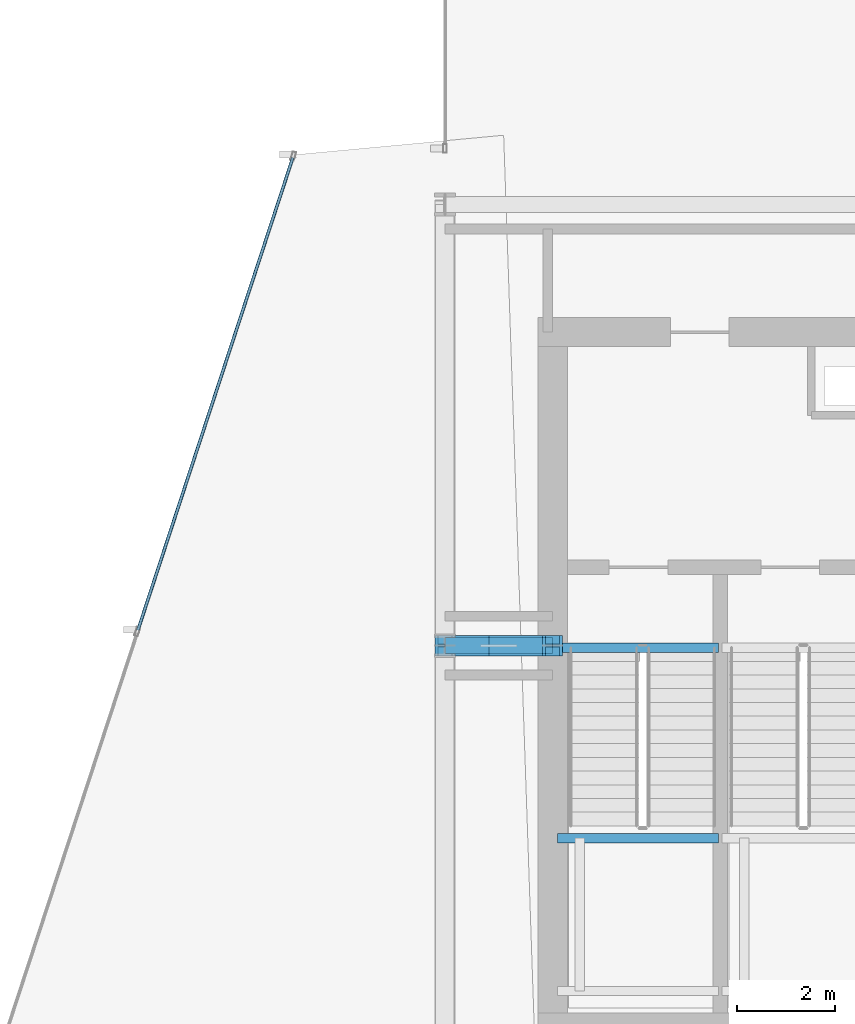
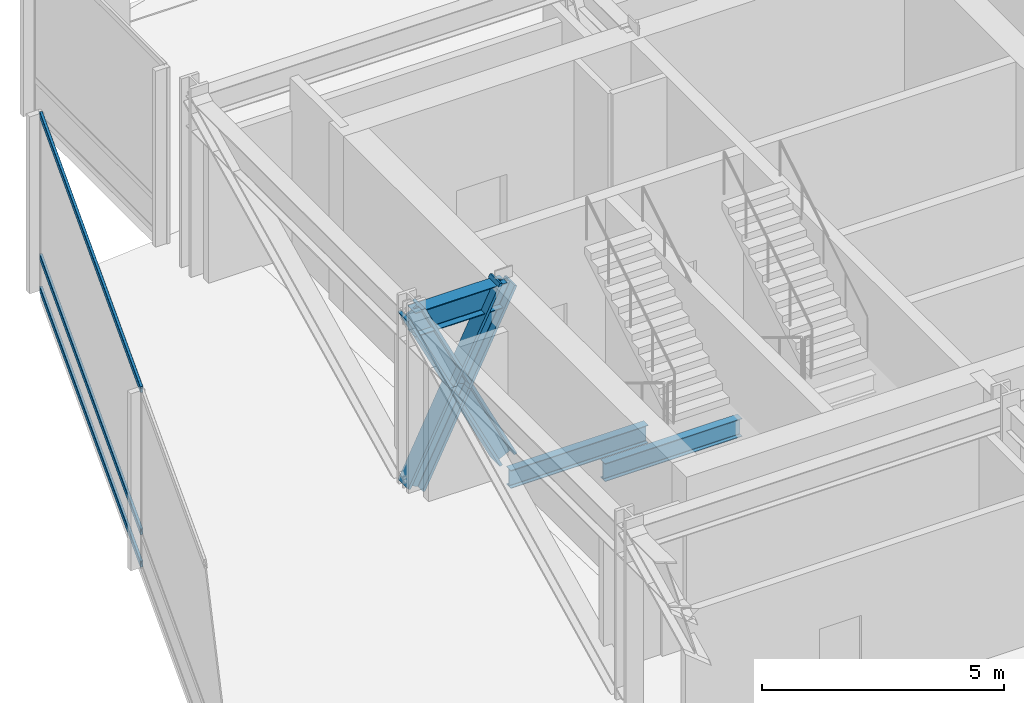
# One storey, part 20 of 42: 6 members, 3 beams, 1 element without a shape of its own.
"""IFC4 building model written with IfcOpenShell, lengths in metres."""

from ifc_helpers import new_model, si_unit, direction, frame, origin, origin_2d, place, context, subcontext, project, spatial, hollow_rectangle, i_section, extrude, material, layer, layer_set, material_profile, profile_set, type_object, element, aggregate, save


model = new_model("IFC4")

# Units and contexts
model_context = context("Model", 3, precision=1e-05, world=origin(), true_north=direction((0.0, 1.0)))
body_context = subcontext(model_context, "Body", "Model", "MODEL_VIEW")
ifc_project = project(units=[si_unit("LENGTHUNIT", "METRE"), si_unit("AREAUNIT", "SQUARE_METRE"), si_unit("VOLUMEUNIT", "CUBIC_METRE"), si_unit("PLANEANGLEUNIT", "RADIAN"), si_unit("MASSUNIT", "GRAM", prefix="KILO")], contexts=[model_context])

# Site, building, storey
site_placement = place(None, origin())
site = spatial("IfcSite", under=ifc_project, at=site_placement, CompositionType="ELEMENT")
building_placement = place(site_placement, origin())
building = spatial("IfcBuilding", under=site, at=building_placement, Name="Solvaryn Broadcast Tower", CompositionType="ELEMENT")
storey_placement = place(building_placement, frame((0.0, 0.0, 100.199951171875)))
storey = spatial("IfcBuildingStorey", under=building, at=storey_placement, Name="L24", CompositionType="ELEMENT", Elevation=100.199951171875)

# Beams
ifc_material_1 = material(Name="Steel ASTM A992 Grade 50", Category="steel")
ifc_material_profile_1 = material_profile(ifc_material_1, i_section(OverallWidth=0.323974609375, OverallDepth=0.611083984375, WebThickness=0.0126953125, FlangeThickness=0.01904296875, FilletRadius=0.014892578125, at=origin_2d()))
ifc_profile_set_1 = profile_set([ifc_material_profile_1], Name="Steel ASTM A992 Grade 50")
beam_type_1 = type_object("IfcBeamType", Name="BM-B1-W24X104", PredefinedType="BEAM", material=ifc_profile_set_1)
beam_placement = place(storey_placement, frame((9.0, 36.0, 4.16455078125), z_axis=(1.0, 0.0, 0.0), x_axis=(0.0, 1.0, 0.0)))
element("IfcBeam", 1, at=beam_placement, inside=storey, type_object=beam_type_1, Name="L24 Core Tie Beam CTW1", PredefinedType="BEAM", context=body_context, shape_type="SweptSolid", body=[
    extrude(i_section(OverallWidth=0.323974609375, OverallDepth=0.611083984375, WebThickness=0.0126953125, FlangeThickness=0.01904296875, FilletRadius=0.014892578125, at=origin_2d()), origin(), (0.0, 0.0, 1.0), 2.199951171875),
])
ifc_material_2 = material(Name="Steel ASTM A992 Grade 50", Category="steel")
ifc_material_profile_2 = material_profile(ifc_material_2, i_section(OverallWidth=0.18994140625, OverallDepth=0.45703125, WebThickness=0.009033203125, FlangeThickness=0.014404296875, FilletRadius=0.011962890625, at=origin_2d()))
ifc_profile_set_2 = profile_set([ifc_material_profile_2], Name="Steel ASTM A992 Grade 50")
beam_type_2 = type_object("IfcBeamType", Name="BM-B4-W18X50", PredefinedType="BEAM", material=ifc_profile_set_2)
for number, where, z_axis, x_axis, name in (
    (2, (11.300048828125, 35.9599609375, -0.558349609375), (1.0, 0.0, 0.0), (0.0, 1.0, 0.0), "L24 ST1 Stair Well Trimmer Beam"),
    (3, (11.300048828125, 32.070068359375, 1.971435546875), (1.0, 0.0, 0.0), (0.0, 1.0, 0.0), "L24 ST1 Landing Support Beam 1B"),
):
    element("IfcBeam", number, at=place(storey_placement, frame(where, z_axis=z_axis, x_axis=x_axis)), inside=storey, type_object=beam_type_2, Name=name, PredefinedType="BEAM", context=body_context, shape_type="SweptSolid", body=[
        extrude(i_section(OverallWidth=0.18994140625, OverallDepth=0.45703125, WebThickness=0.009033203125, FlangeThickness=0.014404296875, FilletRadius=0.011962890625, at=origin_2d()), origin(), (0.0, 0.0, 1.0), 3.280029296875),
    ])

# Curtain wall, members
ifc_material_3 = material(Name="Aluminium and Terracotta Unitised Curtain Wall", Category="masonry")
ifc_layer = layer(ifc_material_3, 0.199951171875)
ifc_layer_set = layer_set([ifc_layer], Name="CW-SYS2-LOWMID")
curtain_wall_type = type_object("IfcCurtainWallType", Name="CW-SYS2-LOWMID", PredefinedType="NOTDEFINED", material=ifc_layer_set)
curtain_wall_placement = place(storey_placement, origin())
curtain_wall = element("IfcCurtainWall", 4, at=curtain_wall_placement, inside=storey, type_object=curtain_wall_type, Name="L24 Curtain Wall DR1", PredefinedType="NOTDEFINED")
ifc_material_4 = material(Name="Anodised Aluminium 6063-T6", Category="aluminium")
ifc_material_profile_3 = material_profile(ifc_material_4, hollow_rectangle(XDim=0.06494140625, YDim=0.14990234375, WallThickness=0.00390625, InnerFilletRadius=0.00390625, OuterFilletRadius=0.008056640625, at=origin_2d()))
ifc_profile_set_3 = profile_set([ifc_material_profile_3], Name="Anodised Aluminium 6063-T6")
member_type_1 = type_object("IfcMemberType", Name="CW-TRN-150", PredefinedType="USERDEFINED", material=ifc_profile_set_3)
member_1_placement = place(storey_placement, frame((5.897216796875, 45.958984375, 0.030029296875), z_axis=(-0.311583076016, -0.950218915167, 0.0), x_axis=(0.950218915167, -0.311583076016, 0.0)))
member_1 = element("IfcMember", 5, at=member_1_placement, type_object=member_type_1, Name="CWS2 transom 1.1", ObjectType="TRANSOM", PredefinedType="USERDEFINED", context=body_context, shape_type="SweptSolid", body=[
    extrude(hollow_rectangle(XDim=0.06494140625, YDim=0.14990234375, WallThickness=0.00390625, InnerFilletRadius=0.00390625, OuterFilletRadius=0.008056640625, at=origin_2d()), origin(), (0.0, 0.0, 1.0), 10.147705078125),
])
member_2_placement = place(storey_placement, frame((5.897216796875, 45.958984375, 0.85009765625), z_axis=(-0.311583076016, -0.950218915167, 0.0), x_axis=(0.950218915167, -0.311583076016, 0.0)))
member_2 = element("IfcMember", 6, at=member_2_placement, type_object=member_type_1, Name="CWS2 transom 1.2", ObjectType="TRANSOM", PredefinedType="USERDEFINED", context=body_context, shape_type="SweptSolid", body=[
    extrude(hollow_rectangle(XDim=0.06494140625, YDim=0.14990234375, WallThickness=0.00390625, InnerFilletRadius=0.00390625, OuterFilletRadius=0.008056640625, at=origin_2d()), origin(), (0.0, 0.0, 1.0), 10.147705078125),
])
member_3_placement = place(storey_placement, frame((5.897216796875, 45.958984375, 4.43994140625), z_axis=(-0.311583076016, -0.950218915167, 0.0), x_axis=(0.950218915167, -0.311583076016, 0.0)))
member_3 = element("IfcMember", 7, at=member_3_placement, type_object=member_type_1, Name="CWS2 transom 1.3", ObjectType="TRANSOM", PredefinedType="USERDEFINED", context=body_context, shape_type="SweptSolid", body=[
    extrude(hollow_rectangle(XDim=0.06494140625, YDim=0.14990234375, WallThickness=0.00390625, InnerFilletRadius=0.00390625, OuterFilletRadius=0.008056640625, at=origin_2d()), origin(), (0.0, 0.0, 1.0), 10.147705078125),
])
aggregate(curtain_wall, [member_1, member_2, member_3])

# Members
ifc_material_5 = material(Name="Steel ASTM A913 Grade 65", Category="steel")
ifc_material_profile_4 = material_profile(ifc_material_5, i_section(OverallWidth=0.41796875, OverallDepth=0.455078125, WebThickness=0.0419921875, FlangeThickness=0.067626953125, FilletRadius=0.014892578125, at=origin_2d()))
ifc_profile_set_4 = profile_set([ifc_material_profile_4], Name="Steel ASTM A913 Grade 65")
member_type_2 = type_object("IfcMemberType", Name="MB-OUTRIGGER-1", PredefinedType="BRACE", material=ifc_profile_set_4)
member_4_placement = place(storey_placement, frame((11.199951171875, 36.0, 0.02001953125), z_axis=(-0.444783432465, 0.0, 0.895638151379), x_axis=(0.0, -1.0, 0.0)))
element("IfcMember", 8, at=member_4_placement, inside=storey, type_object=member_type_2, Name="L24 Outrigger X-Brace W Continuous Diagonal", PredefinedType="BRACE", context=body_context, shape_type="SweptSolid", body=[
    extrude(i_section(OverallWidth=0.41796875, OverallDepth=0.455078125, WebThickness=0.0419921875, FlangeThickness=0.067626953125, FilletRadius=0.014892578125, at=origin_2d()), origin(), (0.0, 0.0, 1.0), 4.946044921875),
])
member_5_placement = place(storey_placement, frame((11.199951171875, 36.0, 4.449951171875), z_axis=(-0.444763499314, 0.0, -0.895648050117), x_axis=(0.0, -1.0, 0.0)))
element("IfcMember", 9, at=member_5_placement, inside=storey, type_object=member_type_2, Name="L24 Outrigger X-Brace W Split Diagonal Lower", PredefinedType="BRACE", context=body_context, shape_type="SweptSolid", body=[
    extrude(i_section(OverallWidth=0.41796875, OverallDepth=0.455078125, WebThickness=0.0419921875, FlangeThickness=0.067626953125, FilletRadius=0.014892578125, at=origin_2d()), origin(), (0.0, 0.0, 1.0), 2.472900390625),
])
member_6_placement = place(storey_placement, frame((10.10009765625, 36.0, 2.235107421875), z_axis=(-0.444803362758, 0.0, -0.895628253507), x_axis=(0.0, -1.0, 0.0)))
element("IfcMember", 10, at=member_6_placement, inside=storey, type_object=member_type_2, Name="L24 Outrigger X-Brace W Split Diagonal Upper", PredefinedType="BRACE", context=body_context, shape_type="SweptSolid", body=[
    extrude(i_section(OverallWidth=0.41796875, OverallDepth=0.455078125, WebThickness=0.0419921875, FlangeThickness=0.067626953125, FilletRadius=0.014892578125, at=origin_2d()), origin(), (0.0, 0.0, 1.0), 2.47314453125),
])

save(model, "model.ifc")
